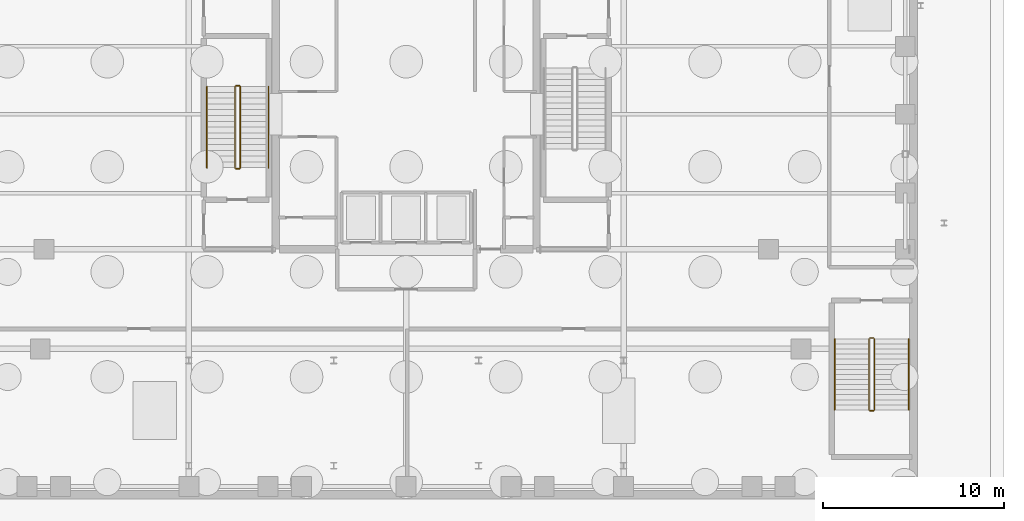
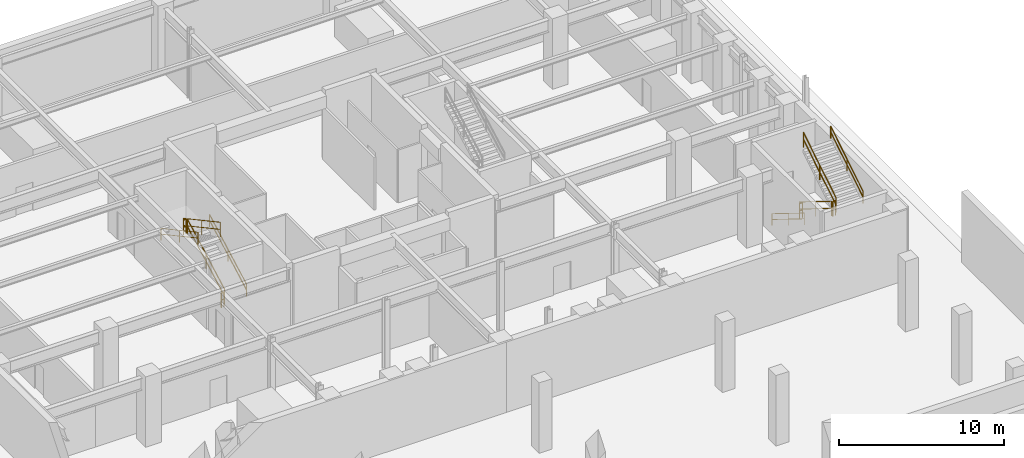
# One storey, part 15 of 18: 12 railings.
"""IFC4 building model written with IfcOpenShell, lengths in metres."""

from ifc_helpers import new_model, si_unit, direction, frame, origin, origin_2d, place, context, subcontext, project, spatial, circle, extrude, material, type_object, element, save


model = new_model("IFC4")

# Units and contexts
model_context = context("Model", 3, precision=1e-05, world=origin(), true_north=direction((0.0, 1.0)))
body_context = subcontext(model_context, "Body", "Model", "MODEL_VIEW")
ifc_project = project(units=[si_unit("LENGTHUNIT", "METRE"), si_unit("AREAUNIT", "SQUARE_METRE"), si_unit("VOLUMEUNIT", "CUBIC_METRE"), si_unit("PLANEANGLEUNIT", "RADIAN"), si_unit("MASSUNIT", "GRAM", prefix="KILO")], contexts=[model_context])

# Site, building, storey
site_placement = place(None, origin())
site = spatial("IfcSite", under=ifc_project, at=site_placement, CompositionType="ELEMENT")
building_placement = place(site_placement, origin())
building = spatial("IfcBuilding", under=site, at=building_placement, Name="Veldorina Hangang Commons", CompositionType="ELEMENT")
storey_placement = place(building_placement, frame((0.0, 0.0, -10.39990234375)))
storey = spatial("IfcBuildingStorey", under=building, at=storey_placement, Name="B02", CompositionType="ELEMENT", Elevation=-10.39990234375)

# Railings
ifc_material_1 = material(Name="Steel Painted Balustrade", Category="steel")
railing_type_1 = type_object("IfcRailingType", Name="RL-GRD-STAIR", PredefinedType="GUARDRAIL", material=ifc_material_1)
railing_1_placement = place(storey_placement, frame((22.85009765625, 21.050048828125, 0.17333984375)))
element("IfcRailing", 1, at=railing_1_placement, inside=storey, type_object=railing_type_1, Name="B02 ST-1 stair guard 1", PredefinedType="GUARDRAIL", context=body_context, shape_type="SweptSolid", body=[
    extrude(circle(Radius=0.02392578125, at=origin_2d()), frame((0.0, 0.0, 1.076171875), z_axis=(0.0, 0.879303672525, 0.476261536852), x_axis=(-1.0, 0.0, 0.0)), (0.0, 0.0, 1.0), 5.094970703125),
    extrude(circle(Radius=0.02392578125, at=origin_2d()), frame((0.0, 0.0, 0.550048828125), z_axis=(0.0, 0.879303672525, 0.476261536852), x_axis=(-1.0, 0.0, 0.0)), (0.0, 0.0, 1.0), 5.094970703125),
    extrude(circle(Radius=0.02099609375, at=origin_2d()), origin(), (0.0, 0.0, 1.0), 1.052001953125),
    extrude(circle(Radius=0.02099609375, at=origin_2d()), frame((0.0, 2.239990234375, 1.21337890625)), (0.0, 0.0, 1.0), 1.052001953125),
    extrude(circle(Radius=0.02099609375, at=origin_2d()), frame((0.0, 4.47998046875, 2.426513671875)), (0.0, 0.0, 1.0), 1.052001953125),
])
railing_2_placement = place(storey_placement, frame((22.800048828125, 25.580078125, 2.599853515625)))
element("IfcRailing", 2, at=railing_2_placement, inside=storey, type_object=railing_type_1, Name="B02 ST-1 stair guard 2", PredefinedType="GUARDRAIL", context=body_context, shape_type="SweptSolid", body=[
    extrude(circle(Radius=0.02392578125, at=origin_2d()), frame((0.0, 0.0, 1.076171875), z_axis=(-1.0, 0.0, 0.0), x_axis=(0.0, -1.0, 0.0)), (0.0, 0.0, 1.0), 0.199951171875),
    extrude(circle(Radius=0.02392578125, at=origin_2d()), frame((0.0, 0.0, 0.550048828125), z_axis=(-1.0, 0.0, 0.0), x_axis=(0.0, -1.0, 0.0)), (0.0, 0.0, 1.0), 0.199951171875),
    extrude(circle(Radius=0.02099609375, at=origin_2d()), origin(), (0.0, 0.0, 1.0), 1.052001953125),
    extrude(circle(Radius=0.02099609375, at=origin_2d()), frame((-0.199951171875, 0.0, 0.0)), (0.0, 0.0, 1.0), 1.052001953125),
])
railing_3_placement = place(storey_placement, frame((22.550048828125, 25.530029296875, 2.773193359375)))
element("IfcRailing", 3, at=railing_3_placement, inside=storey, type_object=railing_type_1, Name="B02 ST-1 stair guard 3", PredefinedType="GUARDRAIL", context=body_context, shape_type="SweptSolid", body=[
    extrude(circle(Radius=0.02392578125, at=origin_2d()), frame((0.0, 0.0, 1.076171875), z_axis=(0.0, -0.879283604982, 0.476298584933), x_axis=(1.0, 0.0, 0.0)), (0.0, 0.0, 1.0), 5.094970703125),
    extrude(circle(Radius=0.02392578125, at=origin_2d()), frame((0.0, 0.0, 0.550048828125), z_axis=(0.0, -0.879283604982, 0.476298584933), x_axis=(1.0, 0.0, 0.0)), (0.0, 0.0, 1.0), 5.094970703125),
    extrude(circle(Radius=0.02099609375, at=origin_2d()), origin(), (0.0, 0.0, 1.0), 1.052001953125),
    extrude(circle(Radius=0.02099609375, at=origin_2d()), frame((0.0, -2.239990234375, 1.21337890625)), (0.0, 0.0, 1.0), 1.052001953125),
    extrude(circle(Radius=0.02099609375, at=origin_2d()), frame((0.0, -4.47998046875, 2.4267578125)), (0.0, 0.0, 1.0), 1.052001953125),
])
railing_4_placement = place(storey_placement, frame((22.800048828125, 21.0, 0.0)))
element("IfcRailing", 4, at=railing_4_placement, inside=storey, type_object=railing_type_1, Name="B02 ST-1 stair guard 4", PredefinedType="GUARDRAIL", context=body_context, shape_type="SweptSolid", body=[
    extrude(circle(Radius=0.02392578125, at=origin_2d()), frame((0.0, 0.0, 1.076171875), z_axis=(-1.0, 0.0, 0.0), x_axis=(0.0, -1.0, 0.0)), (0.0, 0.0, 1.0), 0.199951171875),
    extrude(circle(Radius=0.02392578125, at=origin_2d()), frame((0.0, 0.0, 0.550048828125), z_axis=(-1.0, 0.0, 0.0), x_axis=(0.0, -1.0, 0.0)), (0.0, 0.0, 1.0), 0.199951171875),
    extrude(circle(Radius=0.02099609375, at=origin_2d()), origin(), (0.0, 0.0, 1.0), 1.052001953125),
    extrude(circle(Radius=0.02099609375, at=origin_2d()), frame((-0.199951171875, 0.0, 0.0)), (0.0, 0.0, 1.0), 1.052001953125),
])
railing_5_placement = place(storey_placement, frame((57.550048828125, 11.60009765625, 0.17333984375)))
element("IfcRailing", 5, at=railing_5_placement, inside=storey, type_object=railing_type_1, Name="B02 ST-P2 stair guard 1", PredefinedType="GUARDRAIL", context=body_context, shape_type="SweptSolid", body=[
    extrude(circle(Radius=0.02392578125, at=origin_2d()), frame((0.0, 0.0, 1.076171875), z_axis=(0.0, -0.850289973577, 0.526314507528), x_axis=(1.0, 0.0, 0.0)), (0.0, 0.0, 1.0), 4.6103515625),
    extrude(circle(Radius=0.02392578125, at=origin_2d()), frame((0.0, 0.0, 0.550048828125), z_axis=(0.0, -0.850289973577, 0.526314507528), x_axis=(1.0, 0.0, 0.0)), (0.0, 0.0, 1.0), 4.6103515625),
    extrude(circle(Radius=0.02099609375, at=origin_2d()), origin(), (0.0, 0.0, 1.0), 1.052001953125),
    extrude(circle(Radius=0.02099609375, at=origin_2d()), frame((0.0, -1.9599609375, 1.21337890625)), (0.0, 0.0, 1.0), 1.052001953125),
    extrude(circle(Radius=0.02099609375, at=origin_2d()), frame((0.0, -3.920166015625, 2.426513671875)), (0.0, 0.0, 1.0), 1.052001953125),
])
railing_6_placement = place(storey_placement, frame((57.60009765625, 7.6298828125, 2.599853515625)))
element("IfcRailing", 6, at=railing_6_placement, inside=storey, type_object=railing_type_1, Name="B02 ST-P2 stair guard 2", PredefinedType="GUARDRAIL", context=body_context, shape_type="SweptSolid", body=[
    extrude(circle(Radius=0.02392578125, at=origin_2d()), frame((0.0, 0.0, 1.076171875), z_axis=(1.0, 0.0, 0.0), x_axis=(0.0, 1.0, 0.0)), (0.0, 0.0, 1.0), 0.199951171875),
    extrude(circle(Radius=0.02392578125, at=origin_2d()), frame((0.0, 0.0, 0.550048828125), z_axis=(1.0, 0.0, 0.0), x_axis=(0.0, 1.0, 0.0)), (0.0, 0.0, 1.0), 0.199951171875),
    extrude(circle(Radius=0.02099609375, at=origin_2d()), origin(), (0.0, 0.0, 1.0), 1.052001953125),
    extrude(circle(Radius=0.02099609375, at=origin_2d()), frame((0.199951171875, 0.0, 0.0)), (0.0, 0.0, 1.0), 1.052001953125),
])
railing_7_placement = place(storey_placement, frame((57.85009765625, 7.679931640625, 2.773193359375)))
element("IfcRailing", 7, at=railing_7_placement, inside=storey, type_object=railing_type_1, Name="B02 ST-P2 stair guard 3", PredefinedType="GUARDRAIL", context=body_context, shape_type="SweptSolid", body=[
    extrude(circle(Radius=0.02392578125, at=origin_2d()), frame((0.0, 0.0, 1.076171875), z_axis=(0.0, 0.850266275192, 0.526352791643), x_axis=(-1.0, 0.0, 0.0)), (0.0, 0.0, 1.0), 4.610595703125),
    extrude(circle(Radius=0.02392578125, at=origin_2d()), frame((0.0, 0.0, 0.550048828125), z_axis=(0.0, 0.850266275192, 0.526352791643), x_axis=(-1.0, 0.0, 0.0)), (0.0, 0.0, 1.0), 4.610595703125),
    extrude(circle(Radius=0.02099609375, at=origin_2d()), origin(), (0.0, 0.0, 1.0), 1.052001953125),
    extrude(circle(Radius=0.02099609375, at=origin_2d()), frame((0.0, 1.9599609375, 1.21337890625)), (0.0, 0.0, 1.0), 1.052001953125),
    extrude(circle(Radius=0.02099609375, at=origin_2d()), frame((0.0, 3.920166015625, 2.4267578125)), (0.0, 0.0, 1.0), 1.052001953125),
])
railing_8_placement = place(storey_placement, frame((57.60009765625, 11.64990234375, 0.0)))
element("IfcRailing", 8, at=railing_8_placement, inside=storey, type_object=railing_type_1, Name="B02 ST-P2 stair guard 4", PredefinedType="GUARDRAIL", context=body_context, shape_type="SweptSolid", body=[
    extrude(circle(Radius=0.02392578125, at=origin_2d()), frame((0.0, 0.0, 1.076171875), z_axis=(1.0, 0.0, 0.0), x_axis=(0.0, 1.0, 0.0)), (0.0, 0.0, 1.0), 0.199951171875),
    extrude(circle(Radius=0.02392578125, at=origin_2d()), frame((0.0, 0.0, 0.550048828125), z_axis=(1.0, 0.0, 0.0), x_axis=(0.0, 1.0, 0.0)), (0.0, 0.0, 1.0), 0.199951171875),
    extrude(circle(Radius=0.02099609375, at=origin_2d()), origin(), (0.0, 0.0, 1.0), 1.052001953125),
    extrude(circle(Radius=0.02099609375, at=origin_2d()), frame((0.199951171875, 0.0, 0.0)), (0.0, 0.0, 1.0), 1.052001953125),
])
ifc_material_2 = material(Name="Stainless Steel Brushed 316", Category="steel")
railing_type_2 = type_object("IfcRailingType", Name="RL-HND-STAIR", PredefinedType="HANDRAIL", material=ifc_material_2)
railing_9_placement = place(storey_placement, frame((24.39990234375, 21.050048828125, 0.17333984375)))
element("IfcRailing", 9, at=railing_9_placement, inside=storey, type_object=railing_type_2, Name="B02 ST-1 stair handrail 1", PredefinedType="HANDRAIL", context=body_context, shape_type="SweptSolid", body=[
    extrude(circle(Radius=0.02392578125, at=origin_2d()), frame((0.0, 0.0, 0.8759765625), z_axis=(0.0, 0.879303672525, 0.476261536852), x_axis=(-1.0, 0.0, 0.0)), (0.0, 0.0, 1.0), 5.094970703125),
    extrude(circle(Radius=0.02392578125, at=origin_2d()), frame((0.0, 0.0, 0.449951171875), z_axis=(0.0, 0.879303672525, 0.476261536852), x_axis=(-1.0, 0.0, 0.0)), (0.0, 0.0, 1.0), 5.094970703125),
    extrude(circle(Radius=0.02099609375, at=origin_2d()), origin(), (0.0, 0.0, 1.0), 0.851806640625),
    extrude(circle(Radius=0.02099609375, at=origin_2d()), frame((0.0, 2.239990234375, 1.21337890625)), (0.0, 0.0, 1.0), 0.851806640625),
    extrude(circle(Radius=0.02099609375, at=origin_2d()), frame((0.0, 4.47998046875, 2.426513671875)), (0.0, 0.0, 1.0), 0.851806640625),
])
railing_10_placement = place(storey_placement, frame((21.0, 25.530029296875, 2.773193359375)))
element("IfcRailing", 10, at=railing_10_placement, inside=storey, type_object=railing_type_2, Name="B02 ST-1 stair handrail 2", PredefinedType="HANDRAIL", context=body_context, shape_type="SweptSolid", body=[
    extrude(circle(Radius=0.02392578125, at=origin_2d()), frame((0.0, 0.0, 0.8759765625), z_axis=(0.0, -0.879283604982, 0.476298584933), x_axis=(1.0, 0.0, 0.0)), (0.0, 0.0, 1.0), 5.094970703125),
    extrude(circle(Radius=0.02392578125, at=origin_2d()), frame((0.0, 0.0, 0.449951171875), z_axis=(0.0, -0.879283604982, 0.476298584933), x_axis=(1.0, 0.0, 0.0)), (0.0, 0.0, 1.0), 5.094970703125),
    extrude(circle(Radius=0.02099609375, at=origin_2d()), origin(), (0.0, 0.0, 1.0), 0.851806640625),
    extrude(circle(Radius=0.02099609375, at=origin_2d()), frame((0.0, -2.239990234375, 1.21337890625)), (0.0, 0.0, 1.0), 0.851806640625),
    extrude(circle(Radius=0.02099609375, at=origin_2d()), frame((0.0, -4.47998046875, 2.4267578125)), (0.0, 0.0, 1.0), 0.851806640625),
])
railing_11_placement = place(storey_placement, frame((55.64990234375, 11.60009765625, 0.17333984375)))
element("IfcRailing", 11, at=railing_11_placement, inside=storey, type_object=railing_type_2, Name="B02 ST-P2 stair handrail 1", PredefinedType="HANDRAIL", context=body_context, shape_type="SweptSolid", body=[
    extrude(circle(Radius=0.02392578125, at=origin_2d()), frame((0.0, 0.0, 0.8759765625), z_axis=(0.0, -0.850289973577, 0.526314507528), x_axis=(1.0, 0.0, 0.0)), (0.0, 0.0, 1.0), 4.6103515625),
    extrude(circle(Radius=0.02392578125, at=origin_2d()), frame((0.0, 0.0, 0.449951171875), z_axis=(0.0, -0.850289973577, 0.526314507528), x_axis=(1.0, 0.0, 0.0)), (0.0, 0.0, 1.0), 4.6103515625),
    extrude(circle(Radius=0.02099609375, at=origin_2d()), origin(), (0.0, 0.0, 1.0), 0.851806640625),
    extrude(circle(Radius=0.02099609375, at=origin_2d()), frame((0.0, -1.9599609375, 1.21337890625)), (0.0, 0.0, 1.0), 0.851806640625),
    extrude(circle(Radius=0.02099609375, at=origin_2d()), frame((0.0, -3.920166015625, 2.426513671875)), (0.0, 0.0, 1.0), 0.851806640625),
])
railing_12_placement = place(storey_placement, frame((59.75, 7.679931640625, 2.773193359375)))
element("IfcRailing", 12, at=railing_12_placement, inside=storey, type_object=railing_type_2, Name="B02 ST-P2 stair handrail 2", PredefinedType="HANDRAIL", context=body_context, shape_type="SweptSolid", body=[
    extrude(circle(Radius=0.02392578125, at=origin_2d()), frame((0.0, 0.0, 0.8759765625), z_axis=(0.0, 0.850266275192, 0.526352791643), x_axis=(-1.0, 0.0, 0.0)), (0.0, 0.0, 1.0), 4.610595703125),
    extrude(circle(Radius=0.02392578125, at=origin_2d()), frame((0.0, 0.0, 0.449951171875), z_axis=(0.0, 0.850266275192, 0.526352791643), x_axis=(-1.0, 0.0, 0.0)), (0.0, 0.0, 1.0), 4.610595703125),
    extrude(circle(Radius=0.02099609375, at=origin_2d()), origin(), (0.0, 0.0, 1.0), 0.851806640625),
    extrude(circle(Radius=0.02099609375, at=origin_2d()), frame((0.0, 1.9599609375, 1.21337890625)), (0.0, 0.0, 1.0), 0.851806640625),
    extrude(circle(Radius=0.02099609375, at=origin_2d()), frame((0.0, 3.920166015625, 2.4267578125)), (0.0, 0.0, 1.0), 0.851806640625),
])

save(model, "model.ifc")
